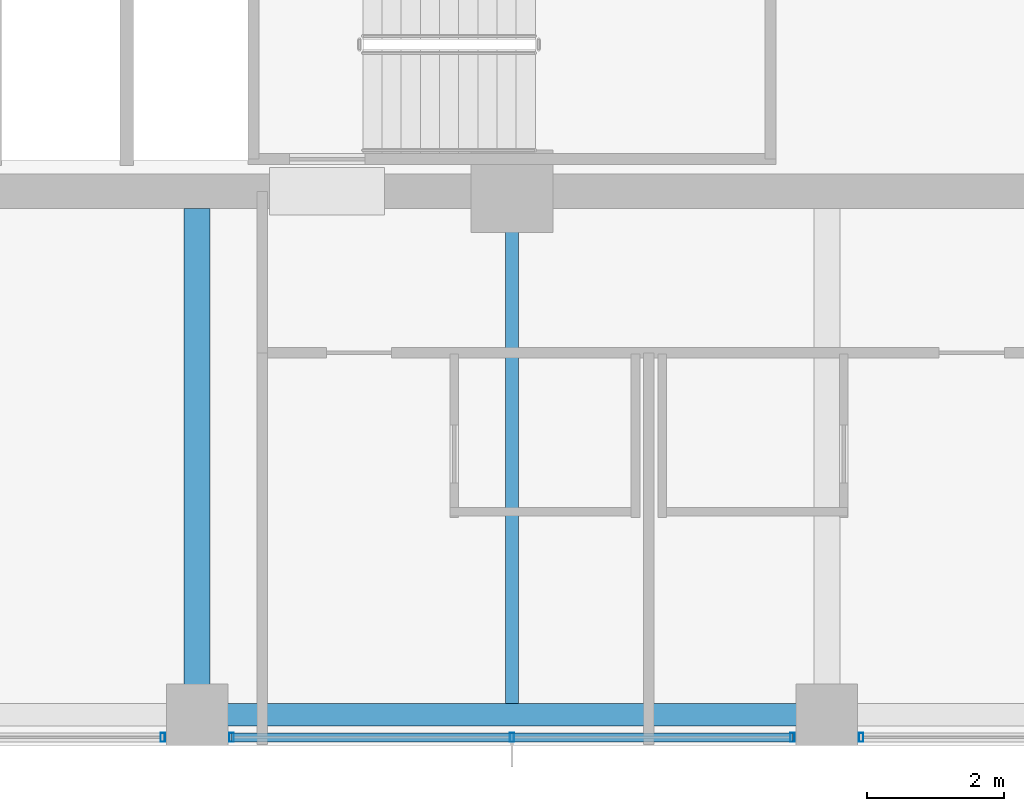
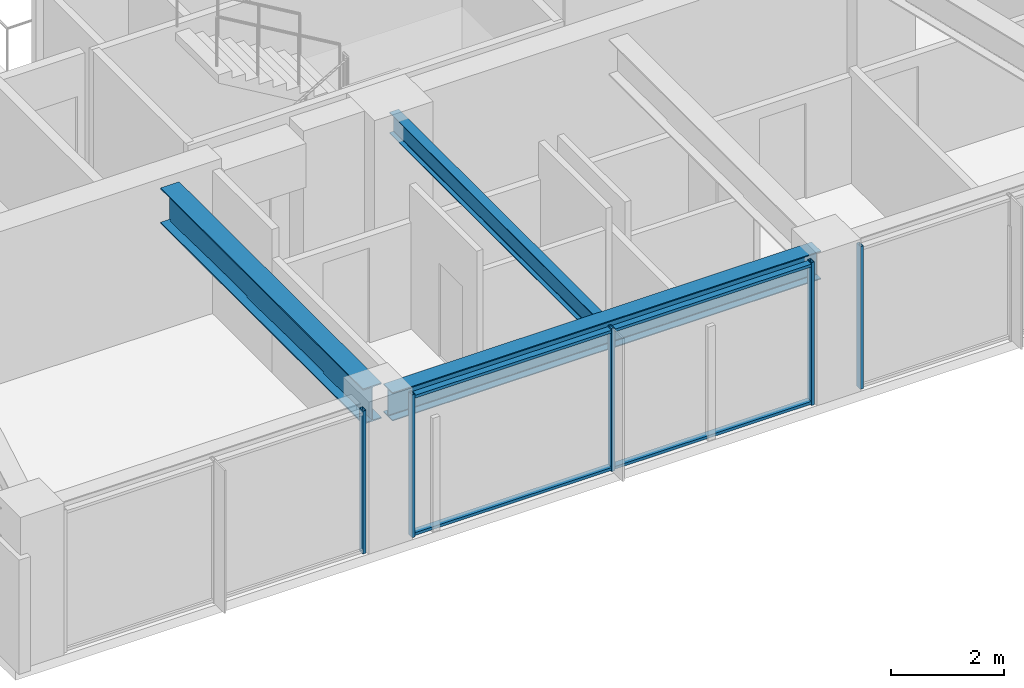
# One storey, part 6 of 33: 7 members, 3 beams, 3 elements without a shape of their own.
"""IFC4 building model written with IfcOpenShell, lengths in metres."""

import ifcopenshell
import ifcopenshell.guid

model = None  # the IFC model being written
_history = None  # IfcOwnerHistory: only IFC2X3 demands one
_inside = {}  # id of a spatial element -> (the spatial element, [elements in it])
_under = {}  # id of a project, library or spatial element -> (it, [spatial elements below it])
_declared = {}  # id of a project -> (the project, [libraries it declares])
_typed = {}  # id of a type object -> (the type object, [elements of that type])
_made_of = {}  # id of a material, layer set ... -> (it, [elements and type objects made of it])


def new_model(schema):
    """Start an empty IFC model of exactly this schema.

    Asked for "IFC4X3", IfcOpenShell would pick the latest addendum, in which some entities
    have other attributes; the version numbers below select the first issue.
    IFC2X3 requires an IfcOwnerHistory on every rooted entity: one is made here for all.
    """
    global model, _history
    if schema == "IFC4X3":
        model = ifcopenshell.file(schema_version=(4, 3, 0, 0))
    else:
        model = ifcopenshell.file(schema=schema)
    _inside.clear()
    _under.clear()
    _declared.clear()
    _typed.clear()
    _made_of.clear()
    _history = None
    if model.schema == "IFC2X3":
        org = make("IfcOrganization", Name="unknown")
        user = make(
            "IfcPersonAndOrganization",
            ThePerson=make("IfcPerson", FamilyName="unknown"),
            TheOrganization=org,
        )
        app = make(
            "IfcApplication",
            ApplicationDeveloper=org,
            Version="unknown",
            ApplicationFullName="unknown",
            ApplicationIdentifier="unknown",
        )
        _history = make(
            "IfcOwnerHistory",
            OwningUser=user,
            OwningApplication=app,
            ChangeAction="ADDED",
            CreationDate=0,
        )
    return model


def make(cls, **values):
    """One entity of the class cls with the attributes given. An attribute that is None is left unset."""
    return model.create_entity(
        cls, **{name: value for name, value in values.items() if value is not None}
    )


def rooted(cls, **values):
    """An entity with a GlobalId (a new one), such as an element, a storey or a relation."""
    return make(cls, GlobalId=ifcopenshell.guid.new(), OwnerHistory=_history, **values)


def si_unit(unit_type, name, prefix=None):
    """IfcSIUnit, for example si_unit("LENGTHUNIT", "METRE", prefix="MILLI")."""
    return make("IfcSIUnit", UnitType=unit_type, Prefix=prefix, Name=name)


def assignment(units):
    """IfcUnitAssignment: the units of a project."""
    return None if units is None else make("IfcUnitAssignment", Units=units)


def point(xyz):
    """IfcCartesianPoint."""
    return None if xyz is None else make("IfcCartesianPoint", Coordinates=xyz)


def direction(xyz):
    """IfcDirection."""
    return None if xyz is None else make("IfcDirection", DirectionRatios=xyz)


def frame(location, z_axis=None, x_axis=None):
    """IfcAxis2Placement3D, a coordinate frame: its origin and axes. An axis left out is left unset."""
    return make(
        "IfcAxis2Placement3D",
        Location=point(location),
        Axis=direction(z_axis),
        RefDirection=direction(x_axis),
    )


def frame_2d(location, x_axis=None):
    """IfcAxis2Placement2D, a coordinate frame in the plane: its origin and x axis."""
    return make(
        "IfcAxis2Placement2D", Location=point(location), RefDirection=direction(x_axis)
    )


def origin():
    """The frame at (0, 0, 0) with its axes left unset."""
    return frame((0.0, 0.0, 0.0))


def origin_2d():
    """The frame at (0, 0) in the plane with its x axis left unset."""
    return frame_2d((0.0, 0.0))


def place(relative_to, where):
    """IfcLocalPlacement: puts the frame where relative to a parent placement (None: the world)."""
    return make(
        "IfcLocalPlacement", PlacementRelTo=relative_to, RelativePlacement=where
    )


def context(
    kind, dimensions, precision=None, world=None, true_north=None, identifier=None
):
    """IfcGeometricRepresentationContext, for example the 3D "Model" context."""
    return make(
        "IfcGeometricRepresentationContext",
        ContextIdentifier=identifier,
        ContextType=kind,
        CoordinateSpaceDimension=dimensions,
        Precision=precision,
        WorldCoordinateSystem=world,
        TrueNorth=true_north,
    )


def subcontext(parent, identifier, kind, view, scale=None):
    """IfcGeometricRepresentationSubContext, for example "Body" below "Model"."""
    return make(
        "IfcGeometricRepresentationSubContext",
        ContextIdentifier=identifier,
        ContextType=kind,
        ParentContext=parent,
        TargetScale=scale,
        TargetView=view,
    )


def project(units=None, contexts=None):
    """IfcProject with its units and contexts."""
    return rooted(
        "IfcProject",
        Name="project",
        RepresentationContexts=contexts,
        UnitsInContext=assignment(units),
    )


def spatial(cls, under=None, at=None, **own):
    """A site, building, storey or space (cls), placed at a placement, below another one or the project."""
    s = rooted(cls, ObjectPlacement=at, **own)
    if under is not None:
        _under.setdefault(under.id(), (under, []))[1].append(s)
    return s


def profile(cls, at=None, kind="AREA", **sizes):
    """A parametric profile (cls). Its sizes go by their IFC names, for example OverallWidth=200.0."""
    return make(cls, ProfileType=kind, Position=at, **sizes)


def hollow_rectangle(**sizes):
    """IfcRectangleHollowProfileDef."""
    return profile("IfcRectangleHollowProfileDef", **sizes)


def i_section(**sizes):
    """IfcIShapeProfileDef."""
    return profile("IfcIShapeProfileDef", **sizes)


def extrude(swept, where, along, depth):
    """IfcExtrudedAreaSolid: the profile swept, set in the frame where, extruded along a direction by depth."""
    return make(
        "IfcExtrudedAreaSolid",
        SweptArea=swept,
        Position=where,
        ExtrudedDirection=direction(along),
        Depth=depth,
    )


def shape(context_of_items, identifier, shape_type, items):
    """IfcShapeRepresentation: the items that make up one representation, for example the "Body"."""
    return make(
        "IfcShapeRepresentation",
        ContextOfItems=context_of_items,
        RepresentationIdentifier=identifier,
        RepresentationType=shape_type,
        Items=items,
    )


def material(Name=None, Category=None):
    """IfcMaterial."""
    return make("IfcMaterial", Name=Name, Category=Category)


def material_profile(
    of_material, cross_section, Name=None, Category=None, Priority=None
):
    """IfcMaterialProfile: a cross section and its material."""
    return make(
        "IfcMaterialProfile",
        Name=Name,
        Material=of_material,
        Profile=cross_section,
        Priority=Priority,
        Category=Category,
    )


def profile_set(profiles, Name=None, composite=None):
    """IfcMaterialProfileSet."""
    return make(
        "IfcMaterialProfileSet",
        Name=Name,
        MaterialProfiles=profiles,
        CompositeProfile=composite,
    )


def made_of(thing, what):
    """Note that an element or type object is made of a material, layer set ...; save() writes the relation."""
    if what is not None:
        _made_of.setdefault(what.id(), (what, []))[1].append(thing)
    return thing


def type_object(cls, material=None, **own):
    """A type object (cls), such as IfcWallType, which elements share."""
    return made_of(rooted(cls, **own), material)


def element(
    cls,
    number,
    at=None,
    inside=None,
    cuts=None,
    type_object=None,
    material=None,
    context=None,
    identifier="Body",
    shape_type=None,
    held_by="IfcProductDefinitionShape",
    body=None,
    shapes=None,
    **own,
):
    """One element of the class cls, such as IfcWall. Its Tag is "e" and its number.

    at: its placement. inside: the storey or other place that contains it. cuts: it is an
    opening in that element (IfcRelVoidsElement). A single representation is given by context,
    identifier, shape_type and body (its items); several are given by shapes. held_by: the class
    of the entity that holds the representations. save() writes the other relations.
    """
    e = rooted(cls, Tag="e%d" % number, ObjectPlacement=at, **own)
    if body is not None:
        shapes = [shape(context, identifier, shape_type, body)]
    if shapes is not None:
        e.Representation = make(held_by, Representations=shapes)
    if inside is not None:
        _inside.setdefault(inside.id(), (inside, []))[1].append(e)
    if cuts is not None:
        rooted(
            "IfcRelVoidsElement", RelatingBuildingElement=cuts, RelatedOpeningElement=e
        )
    if type_object is not None:
        _typed.setdefault(type_object.id(), (type_object, []))[1].append(e)
    return made_of(e, material)


def aggregate(whole, parts):
    """IfcRelAggregates: a whole, such as a stair, and the parts it consists of."""
    return rooted("IfcRelAggregates", RelatingObject=whole, RelatedObjects=parts)


def save(model, path):
    """Write the relations noted so far, then the file.

    IfcRelAggregates (storeys below a building ...), IfcRelContainedInSpatialStructure (elements
    in a storey), IfcRelDefinesByType, IfcRelAssociatesMaterial and IfcRelDeclares: one each for
    every whole, place, type object, material and project.
    """
    for whole, parts in _under.values():
        aggregate(whole, parts)
    for where, things in _inside.values():
        rooted(
            "IfcRelContainedInSpatialStructure",
            RelatedElements=things,
            RelatingStructure=where,
        )
    for kind, things in _typed.values():
        rooted("IfcRelDefinesByType", RelatedObjects=things, RelatingType=kind)
    for what, things in _made_of.values():
        rooted("IfcRelAssociatesMaterial", RelatedObjects=things, RelatingMaterial=what)
    for by, libraries in _declared.values():
        rooted("IfcRelDeclares", RelatingContext=by, RelatedDefinitions=libraries)
    model.write(path)


model = new_model("IFC4")

# Units and contexts
model_context = context("Model", 3, precision=1e-05, world=origin(), true_north=direction((0.0, 1.0)))
body_context = subcontext(model_context, "Body", "Model", "MODEL_VIEW")
ifc_project = project(units=[si_unit("LENGTHUNIT", "METRE"), si_unit("AREAUNIT", "SQUARE_METRE"), si_unit("VOLUMEUNIT", "CUBIC_METRE"), si_unit("PLANEANGLEUNIT", "RADIAN"), si_unit("MASSUNIT", "GRAM", prefix="KILO")], contexts=[model_context])

# Site, building, storey
site_placement = place(None, origin())
site = spatial("IfcSite", under=ifc_project, at=site_placement, CompositionType="ELEMENT")
building_placement = place(site_placement, origin())
building = spatial("IfcBuilding", under=site, at=building_placement, Name="Kolvaren Belvedere", CompositionType="ELEMENT")
storey_placement = place(building_placement, frame((0.0, 0.0, 128.300048828125)))
storey = spatial("IfcBuildingStorey", under=building, at=storey_placement, Name="L37", CompositionType="ELEMENT", Elevation=128.300048828125)

# Beams
ifc_material_1 = material(Name="Structural steel ASTM A992 Grade 50", Category="steel")
ifc_material_profile_1 = material_profile(ifc_material_1, i_section(OverallWidth=0.381103515625, OverallDepth=0.77294921875, WebThickness=0.0166015625, FlangeThickness=0.027099609375, FilletRadius=0.02392578125, at=origin_2d()), Name="W30X173")
ifc_profile_set_1 = profile_set([ifc_material_profile_1], Name="Structural steel ASTM A992 Grade 50")
beam_type_1 = type_object("IfcBeamType", Name="BM-GIRD-W30X173", PredefinedType="BEAM", material=ifc_profile_set_1)
beam_1_placement = place(storey_placement, frame((-4.60009765625, -10.14990234375, 2.71337890625), z_axis=(0.0, -1.0, 0.0), x_axis=(1.0, 0.0, 0.0)))
element("IfcBeam", 1, at=beam_1_placement, inside=storey, type_object=beam_type_1, Name="L37 South Radial Girder M", PredefinedType="BEAM", context=body_context, shape_type="SweptSolid", body=[
    extrude(i_section(OverallWidth=0.381103515625, OverallDepth=0.77294921875, WebThickness=0.0166015625, FlangeThickness=0.027099609375, FilletRadius=0.02392578125, at=origin_2d()), origin(), (0.0, 0.0, 1.0), 7.197509765625),
])
ifc_material_2 = material(Name="Structural steel ASTM A992 Grade 50", Category="steel")
ifc_material_profile_2 = material_profile(ifc_material_2, i_section(OverallWidth=0.19091796875, OverallDepth=0.4599609375, WebThickness=0.010009765625, FlangeThickness=0.01611328125, FilletRadius=0.014892578125, at=origin_2d()), Name="W18X55")
ifc_profile_set_2 = profile_set([ifc_material_profile_2], Name="Structural steel ASTM A992 Grade 50")
beam_type_2 = type_object("IfcBeamType", Name="BM-JOIST-W18X55", PredefinedType="BEAM", material=ifc_profile_set_2)
beam_2_placement = place(storey_placement, frame((0.0, -10.14990234375, 2.869873046875), z_axis=(0.0, -1.0, 0.0), x_axis=(1.0, 0.0, 0.0)))
element("IfcBeam", 2, at=beam_2_placement, inside=storey, type_object=beam_type_2, Name="L37 South Centre Floor Beam", PredefinedType="BEAM", context=body_context, shape_type="SweptSolid", body=[
    extrude(i_section(OverallWidth=0.19091796875, OverallDepth=0.4599609375, WebThickness=0.010009765625, FlangeThickness=0.01611328125, FilletRadius=0.014892578125, at=origin_2d()), origin(), (0.0, 0.0, 1.0), 7.237548828125),
])
ifc_material_3 = material(Name="Structural steel ASTM A992 Grade 50", Category="steel")
ifc_material_profile_3 = material_profile(ifc_material_3, i_section(OverallWidth=0.324951171875, OverallDepth=0.615966796875, WebThickness=0.013916015625, FlangeThickness=0.021484375, FilletRadius=0.02001953125, at=origin_2d()), Name="W24X117")
ifc_profile_set_3 = profile_set([ifc_material_profile_3], Name="Structural steel ASTM A992 Grade 50")
beam_type_3 = type_object("IfcBeamType", Name="BM-SPAN-W24X117", PredefinedType="SPANDREL", material=ifc_profile_set_3)
beam_3_placement = place(storey_placement, frame((-4.3974609375, -17.550048828125, 2.7919921875), z_axis=(1.0, 0.0, 0.0), x_axis=(0.0, 1.0, 0.0)))
element("IfcBeam", 3, at=beam_3_placement, inside=storey, type_object=beam_type_3, Name="L37 Perimeter Spandrel S2-S3", PredefinedType="SPANDREL", context=body_context, shape_type="SweptSolid", body=[
    extrude(i_section(OverallWidth=0.324951171875, OverallDepth=0.615966796875, WebThickness=0.013916015625, FlangeThickness=0.021484375, FilletRadius=0.02001953125, at=origin_2d()), origin(), (0.0, 0.0, 1.0), 8.794921875),
])

# Curtain wall, member
ifc_material_4 = material(Name="Anodised pale-metal aluminium AA 6063-T6", Category="aluminium")
curtain_wall_type = type_object("IfcCurtainWallType", Name="CW-Z3-WAIST", PredefinedType="NOTDEFINED", material=ifc_material_4)
curtain_wall_1_placement = place(storey_placement, origin())
curtain_wall_1 = element("IfcCurtainWall", 4, at=curtain_wall_1_placement, inside=storey, type_object=curtain_wall_type, Name="L37 Unitised Curtain Wall FCW-L37-S-B1", PredefinedType="NOTDEFINED")
ifc_material_5 = material(Name="Anodised pale-metal aluminium AA 6063-T6", Category="aluminium")
ifc_material_profile_4 = material_profile(ifc_material_5, hollow_rectangle(XDim=0.06494140625, YDim=0.1298828125, WallThickness=0.00390625, at=origin_2d()), Name="ALU-MUL-130X65")
ifc_profile_set_4 = profile_set([ifc_material_profile_4], Name="Anodised pale-metal aluminium AA 6063-T6")
member_type_1 = type_object("IfcMemberType", Name="CW-MUL-130", PredefinedType="MULLION", material=ifc_profile_set_4)
member_1_placement = place(storey_placement, frame((5.1025390625, -17.8798828125, 0.0), z_axis=(0.0, 0.0, 1.0), x_axis=(1.0, 0.0, 0.0)))
member_1 = element("IfcMember", 5, at=member_1_placement, type_object=member_type_1, Name="FCW-L37-S-B1 Unitised Mullion 3", PredefinedType="MULLION", context=body_context, shape_type="SweptSolid", body=[
    extrude(hollow_rectangle(XDim=0.06494140625, YDim=0.1298828125, WallThickness=0.00390625, at=origin_2d()), origin(), (0.0, 0.0, 1.0), 3.099853515625),
])
aggregate(curtain_wall_1, [member_1])

# Curtain wall, members
curtain_wall_2_placement = place(storey_placement, origin())
curtain_wall_2 = element("IfcCurtainWall", 6, at=curtain_wall_2_placement, inside=storey, type_object=curtain_wall_type, Name="L37 Unitised Curtain Wall FCW-L37-S-B2", PredefinedType="NOTDEFINED")
member_2_placement = place(storey_placement, frame((4.097412109375, -17.8798828125, 0.0), z_axis=(0.0, 0.0, 1.0), x_axis=(1.0, 0.0, 0.0)))
member_2 = element("IfcMember", 7, at=member_2_placement, type_object=member_type_1, Name="FCW-L37-S-B2 Unitised Mullion 1", PredefinedType="MULLION", context=body_context, shape_type="SweptSolid", body=[
    extrude(hollow_rectangle(XDim=0.06494140625, YDim=0.1298828125, WallThickness=0.00390625, at=origin_2d()), origin(), (0.0, 0.0, 1.0), 3.099853515625),
])
member_3_placement = place(storey_placement, frame((0.0, -17.8798828125, 0.0), z_axis=(0.0, 0.0, 1.0), x_axis=(1.0, 0.0, 0.0)))
member_3 = element("IfcMember", 8, at=member_3_placement, type_object=member_type_1, Name="FCW-L37-S-B2 Unitised Mullion 2", PredefinedType="MULLION", context=body_context, shape_type="SweptSolid", body=[
    extrude(hollow_rectangle(XDim=0.06494140625, YDim=0.1298828125, WallThickness=0.00390625, at=origin_2d()), origin(), (0.0, 0.0, 1.0), 3.099853515625),
])
member_4_placement = place(storey_placement, frame((-4.097412109375, -17.8798828125, 0.0), z_axis=(0.0, 0.0, 1.0), x_axis=(1.0, 0.0, 0.0)))
member_4 = element("IfcMember", 9, at=member_4_placement, type_object=member_type_1, Name="FCW-L37-S-B2 Unitised Mullion 3", PredefinedType="MULLION", context=body_context, shape_type="SweptSolid", body=[
    extrude(hollow_rectangle(XDim=0.06494140625, YDim=0.1298828125, WallThickness=0.00390625, at=origin_2d()), origin(), (0.0, 0.0, 1.0), 3.099853515625),
])

# Curtain wall, member
curtain_wall_3_placement = place(storey_placement, origin())
curtain_wall_3 = element("IfcCurtainWall", 10, at=curtain_wall_3_placement, inside=storey, type_object=curtain_wall_type, Name="L37 Unitised Curtain Wall FCW-L37-S-B3", PredefinedType="NOTDEFINED")
member_5_placement = place(storey_placement, frame((-5.1025390625, -17.8798828125, 0.0), z_axis=(0.0, 0.0, 1.0), x_axis=(1.0, 0.0, 0.0)))
member_5 = element("IfcMember", 11, at=member_5_placement, type_object=member_type_1, Name="FCW-L37-S-B3 Unitised Mullion 1", PredefinedType="MULLION", context=body_context, shape_type="SweptSolid", body=[
    extrude(hollow_rectangle(XDim=0.06494140625, YDim=0.1298828125, WallThickness=0.00390625, at=origin_2d()), origin(), (0.0, 0.0, 1.0), 3.099853515625),
])
aggregate(curtain_wall_3, [member_5])

# Member
ifc_material_6 = material(Name="Anodised pale-metal aluminium AA 6063-T6", Category="aluminium")
ifc_material_profile_5 = material_profile(ifc_material_6, hollow_rectangle(XDim=0.06005859375, YDim=0.1298828125, WallThickness=0.00390625, at=origin_2d()), Name="ALU-TRN-130X60")
ifc_profile_set_5 = profile_set([ifc_material_profile_5], Name="Anodised pale-metal aluminium AA 6063-T6")
member_type_2 = type_object("IfcMemberType", Name="CW-TRN-130", PredefinedType="USERDEFINED", material=ifc_profile_set_5)
member_6_placement = place(storey_placement, frame((4.097412109375, -17.8798828125, 0.06005859375), z_axis=(-1.0, 0.0, 0.0), x_axis=(0.0, 0.0, 1.0)))
member_6 = element("IfcMember", 12, at=member_6_placement, type_object=member_type_2, Name="FCW-L37-S-B2 Sill Transom", ObjectType="TRANSOM", PredefinedType="USERDEFINED", context=body_context, shape_type="SweptSolid", body=[
    extrude(hollow_rectangle(XDim=0.06005859375, YDim=0.1298828125, WallThickness=0.00390625, at=origin_2d()), origin(), (0.0, 0.0, 1.0), 8.19482421875),
])

member_7_placement = place(storey_placement, frame((4.097412109375, -17.8798828125, 3.0400390625), z_axis=(-1.0, 0.0, 0.0), x_axis=(0.0, 0.0, 1.0)))
member_7 = element("IfcMember", 13, at=member_7_placement, type_object=member_type_2, Name="FCW-L37-S-B2 Head Transom", ObjectType="TRANSOM", PredefinedType="USERDEFINED", context=body_context, shape_type="SweptSolid", body=[
    extrude(hollow_rectangle(XDim=0.06005859375, YDim=0.1298828125, WallThickness=0.00390625, at=origin_2d()), origin(), (0.0, 0.0, 1.0), 8.19482421875),
])

aggregate(curtain_wall_2, [member_2, member_3, member_4, member_6, member_7])

save(model, "model.ifc")
